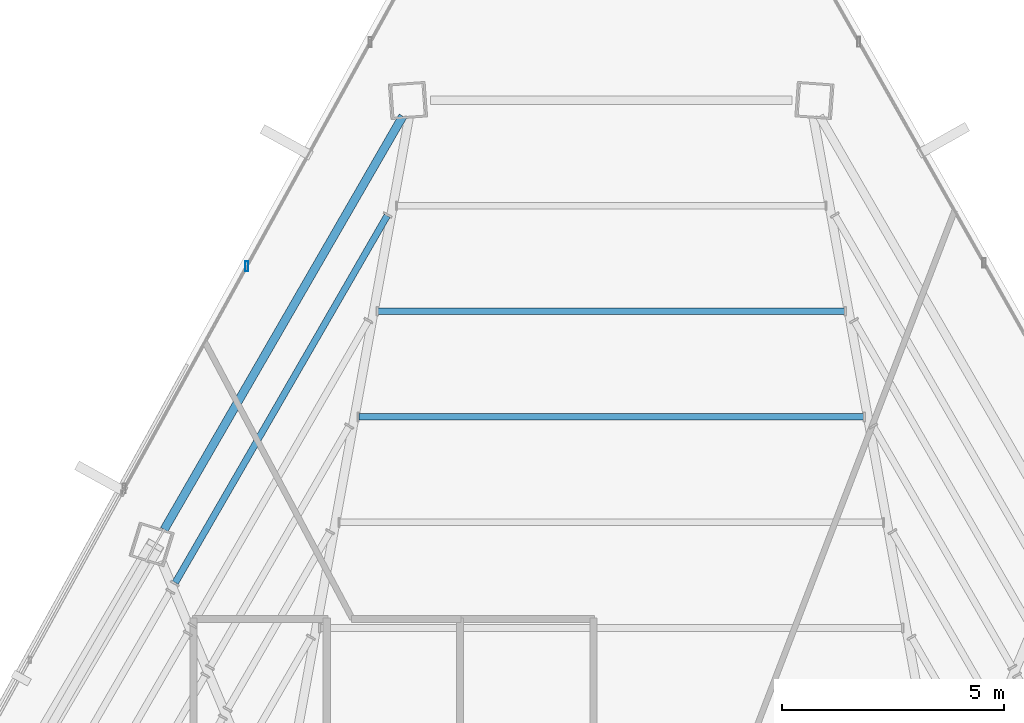
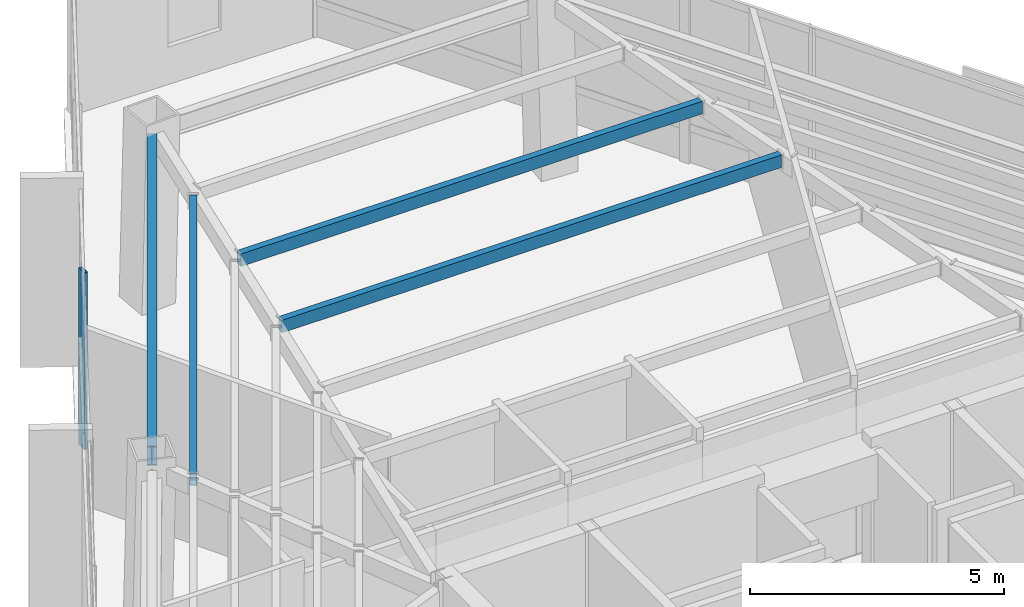
# One storey, part 25 of 37: 4 beams, 1 member, 1 element without a shape of its own.
"""IFC4 building model written with IfcOpenShell, lengths in metres."""

from ifc_helpers import new_model, si_unit, direction, frame, origin, origin_2d, place, context, subcontext, project, spatial, hollow_rectangle, i_section, extrude, source, transform, mapped, material, material_profile, profile_set, type_object, type_shapes, element, aggregate, save


model = new_model("IFC4")

# Units and contexts
model_context = context("Model", 3, precision=1e-05, world=origin(), true_north=direction((0.0, 1.0)))
body_context = subcontext(model_context, "Body", "Model", "MODEL_VIEW")
ifc_project = project(units=[si_unit("LENGTHUNIT", "METRE"), si_unit("AREAUNIT", "SQUARE_METRE"), si_unit("VOLUMEUNIT", "CUBIC_METRE"), si_unit("PLANEANGLEUNIT", "RADIAN"), si_unit("MASSUNIT", "GRAM", prefix="KILO")], contexts=[model_context])

# Site, building, storey
site_placement = place(None, origin())
site = spatial("IfcSite", under=ifc_project, at=site_placement, CompositionType="ELEMENT")
building_placement = place(site_placement, origin())
building = spatial("IfcBuilding", under=site, at=building_placement, Name="Caelisora Broadcast Tower", CompositionType="ELEMENT")
storey_placement = place(building_placement, frame((0.0, 0.0, 225.35009765625)))
storey = spatial("IfcBuildingStorey", under=building, at=storey_placement, Name="L59", CompositionType="ELEMENT", Elevation=225.35009765625)

# Beams
ifc_material_1 = material(Name="Steel Grade 350 (AS/NZS 3679.1)", Category="steel")
ifc_material_profile_1 = material_profile(ifc_material_1, i_section(OverallWidth=0.19091796875, OverallDepth=0.46044921875, WebThickness=0.010009765625, FlangeThickness=0.01611328125, at=origin_2d()), Name="Steel Grade 350 (AS/NZS 3679.1)")
ifc_profile_set_1 = profile_set([ifc_material_profile_1], Name="Steel Grade 350 (AS/NZS 3679.1)")
beam_type_1 = type_object("IfcBeamType", Name="PG06", PredefinedType="BEAM", material=ifc_profile_set_1)
shared_shape_1 = source(origin(), body_context, "Body", "SweptSolid", [
    extrude(i_section(OverallWidth=0.19091796875, OverallDepth=0.46044921875, WebThickness=0.010009765625, FlangeThickness=0.01611328125, at=origin_2d()), origin(), (0.0, 0.0, 1.0), 10.73876953125),
])
type_shapes(beam_type_1, [shared_shape_1])
beam_1_placement = place(storey_placement, frame((33.311767578125, 46.267578125, 4.019775390625), z_axis=(-0.499999935134, -0.866025441235, 0.0), x_axis=(0.866025441235, -0.499999935134, 0.0)))
element("IfcBeam", 1, at=beam_1_placement, inside=storey, type_object=beam_type_1, Name="L59 beam PG06", PredefinedType="BEAM", context=body_context, shape_type="MappedRepresentation", body=[
    mapped(shared_shape_1, transform((0.0, 0.0, 0.0), scale=1.0)),
])
ifc_material_2 = material(Name="Steel Grade 350 (AS/NZS 1163 C350L0)", Category="steel")
ifc_material_profile_2 = material_profile(ifc_material_2, hollow_rectangle(XDim=0.14990234375, YDim=0.300048828125, WallThickness=0.010009765625, at=origin_2d()), Name="Steel Grade 350 (AS/NZS 1163 C350L0)")
ifc_profile_set_2 = profile_set([ifc_material_profile_2], Name="Steel Grade 350 (AS/NZS 1163 C350L0)")
beam_type_2 = type_object("IfcBeamType", Name="SB05", PredefinedType="JOIST", material=ifc_profile_set_2)
shared_shape_2 = source(origin(), body_context, "Body", "SweptSolid", [
    extrude(hollow_rectangle(XDim=0.14990234375, YDim=0.300048828125, WallThickness=0.010009765625, at=origin_2d()), origin(), (0.0, 0.0, 1.0), 11.3515625),
])
beam_2_placement = place(storey_placement, frame((43.67578125, 39.501708984375, 4.099853515625), z_axis=(-1.0, 0.0, 0.0), x_axis=(0.0, -1.0, 0.0)))
element("IfcBeam", 2, at=beam_2_placement, inside=storey, type_object=beam_type_2, Name="L59 beam SB05", PredefinedType="JOIST", context=body_context, shape_type="MappedRepresentation", body=[
    mapped(shared_shape_2, transform((0.0, 0.0, 0.0), scale=1.0)),
])
shared_shape_3 = source(origin(), body_context, "Body", "SweptSolid", [
    extrude(hollow_rectangle(XDim=0.14990234375, YDim=0.300048828125, WallThickness=0.010009765625, at=origin_2d()), origin(), (0.0, 0.0, 1.0), 10.48876953125),
])
beam_3_placement = place(storey_placement, frame((43.244384765625, 41.877197265625, 4.099853515625), z_axis=(-1.0, 0.0, 0.0), x_axis=(0.0, -1.0, 0.0)))
element("IfcBeam", 3, at=beam_3_placement, inside=storey, type_object=beam_type_2, Name="L59 beam SB05", PredefinedType="JOIST", context=body_context, shape_type="MappedRepresentation", body=[
    mapped(shared_shape_3, transform((0.0, 0.0, 0.0), scale=1.0)),
])
shared_shape_4 = source(origin(), body_context, "Body", "SweptSolid", [
    extrude(hollow_rectangle(XDim=0.14990234375, YDim=0.300048828125, WallThickness=0.010009765625, at=origin_2d()), origin(), (0.0, 0.0, 1.0), 9.53466796875),
])
type_shapes(beam_type_2, [shared_shape_2, shared_shape_3, shared_shape_4])
beam_4_placement = place(storey_placement, frame((32.958251953125, 44.027099609375, 4.099853515625), z_axis=(-0.499997295977, -0.866026964947, 0.0), x_axis=(0.866026964947, -0.499997295977, 0.0)))
element("IfcBeam", 4, at=beam_4_placement, inside=storey, type_object=beam_type_2, Name="L59 beam SB05", PredefinedType="JOIST", context=body_context, shape_type="MappedRepresentation", body=[
    mapped(shared_shape_4, transform((0.0, 0.0, 0.0), scale=1.0)),
])

# Curtain wall, member
ifc_material_3 = material(Name="Unitised Aluminium and Low-E Glass Curtain Wall", Category="glass")
curtain_wall_type = type_object("IfcCurtainWallType", Name="CW-SKY", PredefinedType="NOTDEFINED", material=ifc_material_3)
curtain_wall_placement = place(storey_placement, origin())
curtain_wall = element("IfcCurtainWall", 5, at=curtain_wall_placement, inside=storey, type_object=curtain_wall_type, Name="L59 curtain wall CW-SKY", PredefinedType="NOTDEFINED")
ifc_material_4 = material(Name="Aluminium 6063-T6 Anodised Terracotta Bronze", Category="aluminium")
ifc_material_profile_3 = material_profile(ifc_material_4, hollow_rectangle(XDim=0.074951171875, YDim=0.219970703125, WallThickness=0.00390625, at=origin_2d()), Name="Aluminium 6063-T6 Anodised Terracotta Bronze")
ifc_profile_set_3 = profile_set([ifc_material_profile_3], Name="Aluminium 6063-T6 Anodised Terracotta Bronze")
member_type = type_object("IfcMemberType", Name="CWM-01", PredefinedType="MULLION", material=ifc_profile_set_3)
shared_shape_5 = source(origin(), body_context, "Body", "SweptSolid", [
    extrude(hollow_rectangle(XDim=0.074951171875, YDim=0.219970703125, WallThickness=0.00390625, at=origin_2d()), origin(), (0.0, 0.0, 1.0), 4.25),
])
type_shapes(member_type, [shared_shape_5])
member_placement = place(storey_placement, frame((29.798095703125, 42.888916015625, 0.0), z_axis=(0.0, 0.0, 1.0), x_axis=(1.0, 0.0, 0.0)))
member = element("IfcMember", 6, at=member_placement, type_object=member_type, Name="L59-CW-B11 mullion #1", PredefinedType="MULLION", context=body_context, shape_type="MappedRepresentation", body=[
    mapped(shared_shape_5, transform((0.0, 0.0, 0.0), scale=1.0)),
])
aggregate(curtain_wall, [member])

save(model, "model.ifc")
